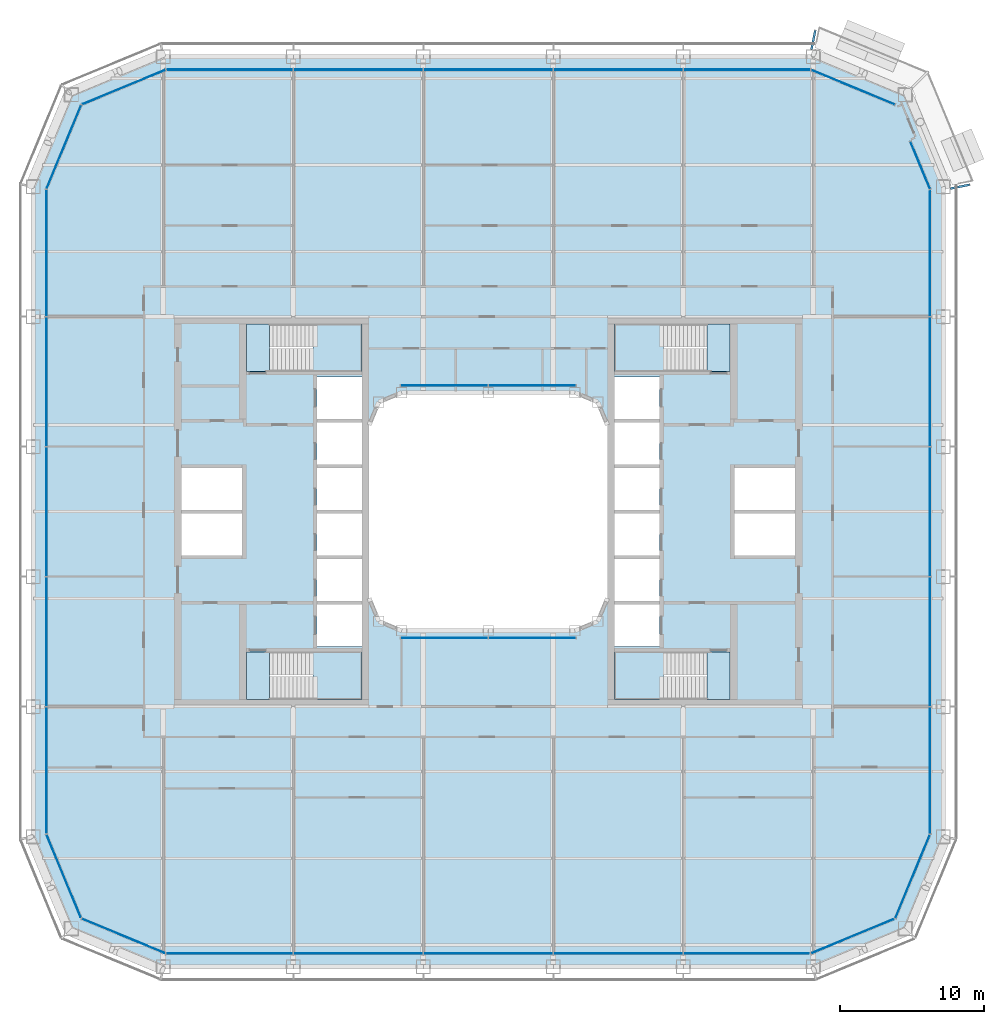
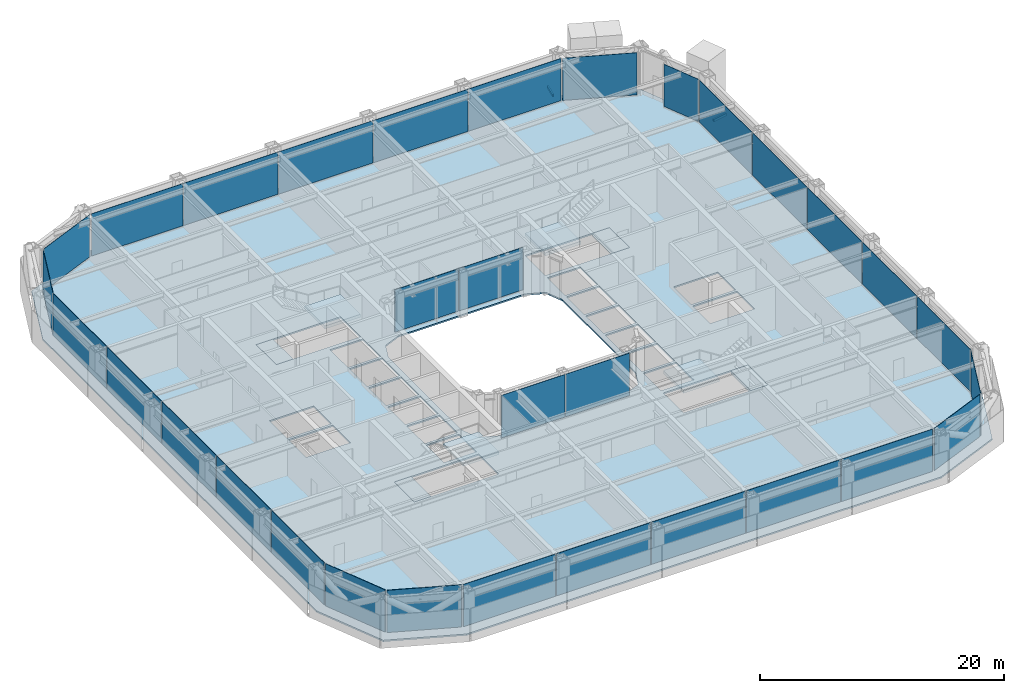
# One storey, part 11 of 30: 32 plates, 9 slabs, 2 beams, 18 elements without a shape of their own.
"""IFC4 building model written with IfcOpenShell, lengths in metres."""

from ifc_helpers import new_model, si_unit, direction, frame, origin, origin_2d, place, context, subcontext, project, spatial, polyline, rectangle, hollow_rectangle, outline, extrude, material, layer, layer_set, material_profile, profile_set, type_object, element, aggregate, save


model = new_model("IFC4")

# Units and contexts
model_context = context("Model", 3, precision=1e-05, world=origin(), true_north=direction((0.0, 1.0)))
body_context = subcontext(model_context, "Body", "Model", "MODEL_VIEW")
ifc_project = project(units=[si_unit("LENGTHUNIT", "METRE"), si_unit("AREAUNIT", "SQUARE_METRE"), si_unit("VOLUMEUNIT", "CUBIC_METRE"), si_unit("PLANEANGLEUNIT", "RADIAN"), si_unit("MASSUNIT", "GRAM", prefix="KILO")], contexts=[model_context])

# Site, building, storey
site_placement = place(None, origin())
site = spatial("IfcSite", under=ifc_project, at=site_placement, CompositionType="ELEMENT")
building_placement = place(site_placement, origin())
building = spatial("IfcBuilding", under=site, at=building_placement, Name="Siwar Civic Tower", CompositionType="ELEMENT")
storey_placement = place(building_placement, frame((0.0, 0.0, 62.699951171875)))
storey = spatial("IfcBuildingStorey", under=building, at=storey_placement, Name="L13", CompositionType="ELEMENT", Elevation=62.699951171875)

# Beams
ifc_material_1 = material(Name="Steel S355", Category="steel")
ifc_material_profile = material_profile(ifc_material_1, hollow_rectangle(XDim=0.14990234375, YDim=0.25, WallThickness=0.010009765625, at=origin_2d()), Name="RHS250x150x10")
ifc_profile_set = profile_set([ifc_material_profile], Name="Steel S355")
beam_type = type_object("IfcBeamType", Name="ENV-BALCONY ARM", PredefinedType="BEAM", material=ifc_profile_set)
for number, where, z_axis, x_axis, name in (
    (1, (32.0, 22.375244140625, -0.27490234375), (0.980807679798, 0.194977678848, 0.0), (-0.194977678848, 0.980807679798, 0.0), "Balcony cantilever beam NE 1"),
    (2, (22.375244140625, 32.0, -0.27490234375), (0.194977678848, 0.980807679798, 0.0), (-0.980807679798, 0.194977678848, 0.0), "Balcony cantilever beam NE 3"),
):
    element("IfcBeam", number, at=place(storey_placement, frame(where, z_axis=z_axis, x_axis=x_axis)), inside=storey, type_object=beam_type, Name=name, PredefinedType="BEAM", context=body_context, shape_type="SweptSolid", body=[
        extrude(hollow_rectangle(XDim=0.14990234375, YDim=0.25, WallThickness=0.010009765625, at=origin_2d()), origin(), (0.0, 0.0, 1.0), 1.361083984375),
    ])

# Stair, slabs
ifc_material_2 = material(Name="Concrete C40/50", Category="concrete")
stair_type = type_object("IfcStairType", Name="CORE-STAIR", PredefinedType="TWO_STRAIGHT_RUN_STAIR", material=ifc_material_2)
stair_1_placement = place(storey_placement, origin())
stair_1 = element("IfcStair", 3, at=stair_1_placement, inside=storey, type_object=stair_type, Name="Exit stair ST1", PredefinedType="TWO_STRAIGHT_RUN_STAIR")
ifc_material_3 = material(Name="Concrete C40/50", Category="concrete")
ifc_layer_1 = layer(ifc_material_3, 0.300048828125)
ifc_layer_set_1 = layer_set([ifc_layer_1], Name="Concrete C40/50")
slab_type_1 = type_object("IfcSlabType", Name="CORE-STAIR-LANDING", PredefinedType="LANDING", material=ifc_layer_set_1)
slab_1_placement = place(storey_placement, frame((0.0, 0.0, -0.300048828125)))
slab_1 = element("IfcSlab", 4, at=slab_1_placement, type_object=slab_type_1, Name="ST1 landing 1", PredefinedType="LANDING", context=body_context, shape_type="SweptSolid", body=[
    extrude(outline(polyline([(-15.14990234375, 13.0), (-16.75, 13.0), (-16.75, 9.699951171875), (-15.14990234375, 9.699951171875), (-15.14990234375, 13.0)])), origin(), (0.0, 0.0, 1.0), 0.300048828125),
])
slab_2_placement = place(storey_placement, frame((0.0, 0.0, 1.949951171875)))
slab_2 = element("IfcSlab", 5, at=slab_2_placement, type_object=slab_type_1, Name="ST1 landing 2", PredefinedType="LANDING", context=body_context, shape_type="SweptSolid", body=[
    extrude(outline(polyline([(-8.75, 13.0), (-12.139892578125, 13.0), (-12.139892578125, 9.699951171875), (-8.75, 9.699951171875), (-8.75, 13.0)])), origin(), (0.0, 0.0, 1.0), 0.300048828125),
])
aggregate(stair_1, [slab_1, slab_2])

stair_2_placement = place(storey_placement, origin())
stair_2 = element("IfcStair", 6, at=stair_2_placement, inside=storey, type_object=stair_type, Name="Exit stair ST2", PredefinedType="TWO_STRAIGHT_RUN_STAIR")
slab_3_placement = place(storey_placement, frame((0.0, 0.0, -0.300048828125)))
slab_3 = element("IfcSlab", 7, at=slab_3_placement, type_object=slab_type_1, Name="ST2 landing 1", PredefinedType="LANDING", context=body_context, shape_type="SweptSolid", body=[
    extrude(outline(polyline([(-15.14990234375, -9.699951171875), (-16.75, -9.699951171875), (-16.75, -13.0), (-15.14990234375, -13.0), (-15.14990234375, -9.699951171875)])), origin(), (0.0, 0.0, 1.0), 0.300048828125),
])
slab_4_placement = place(storey_placement, frame((0.0, 0.0, 1.949951171875)))
slab_4 = element("IfcSlab", 8, at=slab_4_placement, type_object=slab_type_1, Name="ST2 landing 2", PredefinedType="LANDING", context=body_context, shape_type="SweptSolid", body=[
    extrude(outline(polyline([(-8.75, -9.699951171875), (-12.139892578125, -9.699951171875), (-12.139892578125, -13.0), (-8.75, -13.0), (-8.75, -9.699951171875)])), origin(), (0.0, 0.0, 1.0), 0.300048828125),
])
aggregate(stair_2, [slab_3, slab_4])

stair_3_placement = place(storey_placement, origin())
stair_3 = element("IfcStair", 9, at=stair_3_placement, inside=storey, type_object=stair_type, Name="Exit stair ST3", PredefinedType="TWO_STRAIGHT_RUN_STAIR")
slab_5_placement = place(storey_placement, frame((0.0, 0.0, -0.300048828125)))
slab_5 = element("IfcSlab", 10, at=slab_5_placement, type_object=slab_type_1, Name="ST3 landing 1", PredefinedType="LANDING", context=body_context, shape_type="SweptSolid", body=[
    extrude(outline(polyline([(15.14990234375, 9.699951171875), (16.75, 9.699951171875), (16.75, 13.0), (15.14990234375, 13.0), (15.14990234375, 9.699951171875)])), origin(), (0.0, 0.0, 1.0), 0.300048828125),
])
slab_6_placement = place(storey_placement, frame((0.0, 0.0, 1.949951171875)))
slab_6 = element("IfcSlab", 11, at=slab_6_placement, type_object=slab_type_1, Name="ST3 landing 2", PredefinedType="LANDING", context=body_context, shape_type="SweptSolid", body=[
    extrude(outline(polyline([(8.75, 9.699951171875), (12.139892578125, 9.699951171875), (12.139892578125, 13.0), (8.75, 13.0), (8.75, 9.699951171875)])), origin(), (0.0, 0.0, 1.0), 0.300048828125),
])
aggregate(stair_3, [slab_5, slab_6])

stair_4_placement = place(storey_placement, origin())
stair_4 = element("IfcStair", 12, at=stair_4_placement, inside=storey, type_object=stair_type, Name="Exit stair ST4", PredefinedType="TWO_STRAIGHT_RUN_STAIR")
slab_7_placement = place(storey_placement, frame((0.0, 0.0, -0.300048828125)))
slab_7 = element("IfcSlab", 13, at=slab_7_placement, type_object=slab_type_1, Name="ST4 landing 1", PredefinedType="LANDING", context=body_context, shape_type="SweptSolid", body=[
    extrude(outline(polyline([(15.14990234375, -13.0), (16.75, -13.0), (16.75, -9.699951171875), (15.14990234375, -9.699951171875), (15.14990234375, -13.0)])), origin(), (0.0, 0.0, 1.0), 0.300048828125),
])
slab_8_placement = place(storey_placement, frame((0.0, 0.0, 1.949951171875)))
slab_8 = element("IfcSlab", 14, at=slab_8_placement, type_object=slab_type_1, Name="ST4 landing 2", PredefinedType="LANDING", context=body_context, shape_type="SweptSolid", body=[
    extrude(outline(polyline([(8.75, -13.0), (12.139892578125, -13.0), (12.139892578125, -9.699951171875), (8.75, -9.699951171875), (8.75, -13.0)])), origin(), (0.0, 0.0, 1.0), 0.300048828125),
])
aggregate(stair_4, [slab_7, slab_8])

# Curtain wall, plates
ifc_material_4 = material(Name="Aluminium and glass", Category="aluminium")
ifc_layer_2 = layer(ifc_material_4, 0.219970703125)
ifc_layer_set_2 = layer_set([ifc_layer_2], Name="Aluminium and glass")
curtain_wall_type_1 = type_object("IfcCurtainWallType", Name="ENV-CW-A", PredefinedType="NOTDEFINED", material=ifc_layer_set_2)
curtain_wall_1_placement = place(storey_placement, origin())
curtain_wall_1 = element("IfcCurtainWall", 15, at=curtain_wall_1_placement, inside=storey, type_object=curtain_wall_type_1, Name="Curtain wall A S", PredefinedType="NOTDEFINED")
ifc_material_5 = material(Name="Glass clear laminated", Category="glass")
ifc_layer_3 = layer(ifc_material_5, 0.035888671875)
ifc_layer_set_3 = layer_set([ifc_layer_3], Name="Glass clear laminated")
plate_type_1 = type_object("IfcPlateType", Name="ENV-PANEL-A", PredefinedType="CURTAIN_PANEL", material=ifc_layer_set_3)
plate_1_placement = place(storey_placement, frame((-17.910400390625, -30.60009765625, 0.1201171875), z_axis=(0.0, 0.0, 1.0), x_axis=(1.0, 0.0, 0.0)))
plate_1 = element("IfcPlate", 16, at=plate_1_placement, type_object=plate_type_1, Name="Curtain panel A S 1", PredefinedType="CURTAIN_PANEL", context=body_context, shape_type="SweptSolid", body=[
    extrude(rectangle(XDim=8.7509765625, YDim=0.035888671875, at=origin_2d()), origin(), (0.0, 0.0, 1.0), 4.22998046875),
])
plate_2_placement = place(storey_placement, frame((-9.0, -30.60009765625, 0.1201171875), z_axis=(0.0, 0.0, 1.0), x_axis=(1.0, 0.0, 0.0)))
plate_2 = element("IfcPlate", 17, at=plate_2_placement, type_object=plate_type_1, Name="Curtain panel A S 2", PredefinedType="CURTAIN_PANEL", context=body_context, shape_type="SweptSolid", body=[
    extrude(rectangle(XDim=8.929931640625, YDim=0.035888671875, at=origin_2d()), origin(), (0.0, 0.0, 1.0), 4.22998046875),
])
plate_3_placement = place(storey_placement, frame((0.0, -30.60009765625, 0.1201171875), z_axis=(0.0, 0.0, 1.0), x_axis=(1.0, 0.0, 0.0)))
plate_3 = element("IfcPlate", 18, at=plate_3_placement, type_object=plate_type_1, Name="Curtain panel A S 3", PredefinedType="CURTAIN_PANEL", context=body_context, shape_type="SweptSolid", body=[
    extrude(rectangle(XDim=8.929931640625, YDim=0.035888671875, at=origin_2d()), origin(), (0.0, 0.0, 1.0), 4.22998046875),
])
plate_4_placement = place(storey_placement, frame((9.0, -30.60009765625, 0.1201171875), z_axis=(0.0, 0.0, 1.0), x_axis=(1.0, 0.0, 0.0)))
plate_4 = element("IfcPlate", 19, at=plate_4_placement, type_object=plate_type_1, Name="Curtain panel A S 4", PredefinedType="CURTAIN_PANEL", context=body_context, shape_type="SweptSolid", body=[
    extrude(rectangle(XDim=8.929931640625, YDim=0.035888671875, at=origin_2d()), origin(), (0.0, 0.0, 1.0), 4.22998046875),
])
plate_5_placement = place(storey_placement, frame((17.86669921875, -30.60009765625, 0.1201171875), z_axis=(0.0, 0.0, 1.0), x_axis=(1.0, 0.0, 0.0)))
plate_5 = element("IfcPlate", 20, at=plate_5_placement, type_object=plate_type_1, Name="Curtain panel A S 5", PredefinedType="CURTAIN_PANEL", context=body_context, shape_type="SweptSolid", body=[
    extrude(rectangle(XDim=8.663330078125, YDim=0.035888671875, at=origin_2d()), origin(), (0.0, 0.0, 1.0), 4.22998046875),
])
aggregate(curtain_wall_1, [plate_1, plate_2, plate_3, plate_4, plate_5])

curtain_wall_2_placement = place(storey_placement, origin())
curtain_wall_2 = element("IfcCurtainWall", 21, at=curtain_wall_2_placement, inside=storey, type_object=curtain_wall_type_1, Name="Curtain wall A E", PredefinedType="NOTDEFINED")
plate_6_placement = place(storey_placement, frame((30.60009765625, -17.910400390625, 0.1201171875), z_axis=(0.0, 0.0, 1.0), x_axis=(0.0, 1.0, 0.0)))
plate_6 = element("IfcPlate", 22, at=plate_6_placement, type_object=plate_type_1, Name="Curtain panel A E 1", PredefinedType="CURTAIN_PANEL", context=body_context, shape_type="SweptSolid", body=[
    extrude(rectangle(XDim=8.7509765625, YDim=0.035888671875, at=origin_2d()), origin(), (0.0, 0.0, 1.0), 4.22998046875),
])
plate_7_placement = place(storey_placement, frame((30.60009765625, -9.0, 0.1201171875), z_axis=(0.0, 0.0, 1.0), x_axis=(0.0, 1.0, 0.0)))
plate_7 = element("IfcPlate", 23, at=plate_7_placement, type_object=plate_type_1, Name="Curtain panel A E 2", PredefinedType="CURTAIN_PANEL", context=body_context, shape_type="SweptSolid", body=[
    extrude(rectangle(XDim=8.929931640625, YDim=0.035888671875, at=origin_2d()), origin(), (0.0, 0.0, 1.0), 4.22998046875),
])
plate_8_placement = place(storey_placement, frame((30.60009765625, 0.0, 0.1201171875), z_axis=(0.0, 0.0, 1.0), x_axis=(0.0, 1.0, 0.0)))
plate_8 = element("IfcPlate", 24, at=plate_8_placement, type_object=plate_type_1, Name="Curtain panel A E 3", PredefinedType="CURTAIN_PANEL", context=body_context, shape_type="SweptSolid", body=[
    extrude(rectangle(XDim=8.929931640625, YDim=0.035888671875, at=origin_2d()), origin(), (0.0, 0.0, 1.0), 4.22998046875),
])
plate_9_placement = place(storey_placement, frame((30.60009765625, 9.0, 0.1201171875), z_axis=(0.0, 0.0, 1.0), x_axis=(0.0, 1.0, 0.0)))
plate_9 = element("IfcPlate", 25, at=plate_9_placement, type_object=plate_type_1, Name="Curtain panel A E 4", PredefinedType="CURTAIN_PANEL", context=body_context, shape_type="SweptSolid", body=[
    extrude(rectangle(XDim=8.929931640625, YDim=0.035888671875, at=origin_2d()), origin(), (0.0, 0.0, 1.0), 4.22998046875),
])
plate_10_placement = place(storey_placement, frame((30.60009765625, 17.86669921875, 0.1201171875), z_axis=(0.0, 0.0, 1.0), x_axis=(0.0, 1.0, 0.0)))
plate_10 = element("IfcPlate", 26, at=plate_10_placement, type_object=plate_type_1, Name="Curtain panel A E 5", PredefinedType="CURTAIN_PANEL", context=body_context, shape_type="SweptSolid", body=[
    extrude(rectangle(XDim=8.663330078125, YDim=0.035888671875, at=origin_2d()), origin(), (0.0, 0.0, 1.0), 4.22998046875),
])
aggregate(curtain_wall_2, [plate_6, plate_7, plate_8, plate_9, plate_10])

curtain_wall_3_placement = place(storey_placement, origin())
curtain_wall_3 = element("IfcCurtainWall", 27, at=curtain_wall_3_placement, inside=storey, type_object=curtain_wall_type_1, Name="Curtain wall A N", PredefinedType="NOTDEFINED")
plate_11_placement = place(storey_placement, frame((17.910400390625, 30.60009765625, 0.1201171875), z_axis=(0.0, 0.0, 1.0), x_axis=(-1.0, 0.0, 0.0)))
plate_11 = element("IfcPlate", 28, at=plate_11_placement, type_object=plate_type_1, Name="Curtain panel A N 1", PredefinedType="CURTAIN_PANEL", context=body_context, shape_type="SweptSolid", body=[
    extrude(rectangle(XDim=8.7509765625, YDim=0.035888671875, at=origin_2d()), origin(), (0.0, 0.0, 1.0), 4.22998046875),
])
plate_12_placement = place(storey_placement, frame((9.0, 30.60009765625, 0.1201171875), z_axis=(0.0, 0.0, 1.0), x_axis=(-1.0, 0.0, 0.0)))
plate_12 = element("IfcPlate", 29, at=plate_12_placement, type_object=plate_type_1, Name="Curtain panel A N 2", PredefinedType="CURTAIN_PANEL", context=body_context, shape_type="SweptSolid", body=[
    extrude(rectangle(XDim=8.929931640625, YDim=0.035888671875, at=origin_2d()), origin(), (0.0, 0.0, 1.0), 4.22998046875),
])
plate_13_placement = place(storey_placement, frame((0.0, 30.60009765625, 0.1201171875), z_axis=(0.0, 0.0, 1.0), x_axis=(-1.0, 0.0, 0.0)))
plate_13 = element("IfcPlate", 30, at=plate_13_placement, type_object=plate_type_1, Name="Curtain panel A N 3", PredefinedType="CURTAIN_PANEL", context=body_context, shape_type="SweptSolid", body=[
    extrude(rectangle(XDim=8.929931640625, YDim=0.035888671875, at=origin_2d()), origin(), (0.0, 0.0, 1.0), 4.22998046875),
])
plate_14_placement = place(storey_placement, frame((-9.0, 30.60009765625, 0.1201171875), z_axis=(0.0, 0.0, 1.0), x_axis=(-1.0, 0.0, 0.0)))
plate_14 = element("IfcPlate", 31, at=plate_14_placement, type_object=plate_type_1, Name="Curtain panel A N 4", PredefinedType="CURTAIN_PANEL", context=body_context, shape_type="SweptSolid", body=[
    extrude(rectangle(XDim=8.929931640625, YDim=0.035888671875, at=origin_2d()), origin(), (0.0, 0.0, 1.0), 4.22998046875),
])
plate_15_placement = place(storey_placement, frame((-17.86669921875, 30.60009765625, 0.1201171875), z_axis=(0.0, 0.0, 1.0), x_axis=(-1.0, 0.0, 0.0)))
plate_15 = element("IfcPlate", 32, at=plate_15_placement, type_object=plate_type_1, Name="Curtain panel A N 5", PredefinedType="CURTAIN_PANEL", context=body_context, shape_type="SweptSolid", body=[
    extrude(rectangle(XDim=8.663330078125, YDim=0.035888671875, at=origin_2d()), origin(), (0.0, 0.0, 1.0), 4.22998046875),
])
aggregate(curtain_wall_3, [plate_11, plate_12, plate_13, plate_14, plate_15])

curtain_wall_4_placement = place(storey_placement, origin())
curtain_wall_4 = element("IfcCurtainWall", 33, at=curtain_wall_4_placement, inside=storey, type_object=curtain_wall_type_1, Name="Curtain wall A W", PredefinedType="NOTDEFINED")
plate_16_placement = place(storey_placement, frame((-30.60009765625, 17.910400390625, 0.1201171875), z_axis=(0.0, 0.0, 1.0), x_axis=(0.0, -1.0, 0.0)))
plate_16 = element("IfcPlate", 34, at=plate_16_placement, type_object=plate_type_1, Name="Curtain panel A W 1", PredefinedType="CURTAIN_PANEL", context=body_context, shape_type="SweptSolid", body=[
    extrude(rectangle(XDim=8.7509765625, YDim=0.035888671875, at=origin_2d()), origin(), (0.0, 0.0, 1.0), 4.22998046875),
])
plate_17_placement = place(storey_placement, frame((-30.60009765625, 9.0, 0.1201171875), z_axis=(0.0, 0.0, 1.0), x_axis=(0.0, -1.0, 0.0)))
plate_17 = element("IfcPlate", 35, at=plate_17_placement, type_object=plate_type_1, Name="Curtain panel A W 2", PredefinedType="CURTAIN_PANEL", context=body_context, shape_type="SweptSolid", body=[
    extrude(rectangle(XDim=8.929931640625, YDim=0.035888671875, at=origin_2d()), origin(), (0.0, 0.0, 1.0), 4.22998046875),
])
plate_18_placement = place(storey_placement, frame((-30.60009765625, 0.0, 0.1201171875), z_axis=(0.0, 0.0, 1.0), x_axis=(0.0, -1.0, 0.0)))
plate_18 = element("IfcPlate", 36, at=plate_18_placement, type_object=plate_type_1, Name="Curtain panel A W 3", PredefinedType="CURTAIN_PANEL", context=body_context, shape_type="SweptSolid", body=[
    extrude(rectangle(XDim=8.929931640625, YDim=0.035888671875, at=origin_2d()), origin(), (0.0, 0.0, 1.0), 4.22998046875),
])
plate_19_placement = place(storey_placement, frame((-30.60009765625, -9.0, 0.1201171875), z_axis=(0.0, 0.0, 1.0), x_axis=(0.0, -1.0, 0.0)))
plate_19 = element("IfcPlate", 37, at=plate_19_placement, type_object=plate_type_1, Name="Curtain panel A W 4", PredefinedType="CURTAIN_PANEL", context=body_context, shape_type="SweptSolid", body=[
    extrude(rectangle(XDim=8.929931640625, YDim=0.035888671875, at=origin_2d()), origin(), (0.0, 0.0, 1.0), 4.22998046875),
])
plate_20_placement = place(storey_placement, frame((-30.60009765625, -17.86669921875, 0.1201171875), z_axis=(0.0, 0.0, 1.0), x_axis=(0.0, -1.0, 0.0)))
plate_20 = element("IfcPlate", 38, at=plate_20_placement, type_object=plate_type_1, Name="Curtain panel A W 5", PredefinedType="CURTAIN_PANEL", context=body_context, shape_type="SweptSolid", body=[
    extrude(rectangle(XDim=8.663330078125, YDim=0.035888671875, at=origin_2d()), origin(), (0.0, 0.0, 1.0), 4.22998046875),
])
aggregate(curtain_wall_4, [plate_16, plate_17, plate_18, plate_19, plate_20])

# Curtain wall, plate
ifc_material_6 = material(Name="Aluminium clad insulated panel", Category="aluminium")
ifc_layer_4 = layer(ifc_material_6, 0.219970703125)
ifc_layer_set_4 = layer_set([ifc_layer_4], Name="Aluminium clad insulated panel")
curtain_wall_type_2 = type_object("IfcCurtainWallType", Name="ENV-CW-AX", PredefinedType="NOTDEFINED", material=ifc_layer_set_4)
curtain_wall_5_placement = place(storey_placement, origin())
curtain_wall_5 = element("IfcCurtainWall", 39, at=curtain_wall_5_placement, inside=storey, type_object=curtain_wall_type_2, Name="Curtain wall A SE1", PredefinedType="NOTDEFINED")
ifc_material_7 = material(Name="Aluminium clad insulated panel", Category="aluminium")
ifc_layer_5 = layer(ifc_material_7, 0.035888671875)
ifc_layer_set_5 = layer_set([ifc_layer_5], Name="Aluminium clad insulated panel")
plate_type_2 = type_object("IfcPlateType", Name="ENV-PANEL-AX", PredefinedType="CURTAIN_PANEL", material=ifc_layer_set_5)
plate_21_placement = place(storey_placement, frame((25.20751953125, -29.404296875, 0.1201171875), z_axis=(0.0, 0.0, 1.0), x_axis=(0.923879532511, 0.382683432365, 0.0)))
plate_21 = element("IfcPlate", 40, at=plate_21_placement, type_object=plate_type_2, Name="Curtain panel A SE1 1", PredefinedType="CURTAIN_PANEL", context=body_context, shape_type="SweptSolid", body=[
    extrude(rectangle(XDim=6.178955078125, YDim=0.035888671875, at=origin_2d()), origin(), (0.0, 0.0, 1.0), 4.22998046875),
])
aggregate(curtain_wall_5, [plate_21])

curtain_wall_6_placement = place(storey_placement, origin())
curtain_wall_6 = element("IfcCurtainWall", 41, at=curtain_wall_6_placement, inside=storey, type_object=curtain_wall_type_2, Name="Curtain wall A SE2", PredefinedType="NOTDEFINED")
plate_22_placement = place(storey_placement, frame((29.370849609375, -25.28857421875, 0.1201171875), z_axis=(0.0, 0.0, 1.0), x_axis=(0.382683432365, 0.923879532511, 0.0)))
plate_22 = element("IfcPlate", 42, at=plate_22_placement, type_object=plate_type_2, Name="Curtain panel A SE2 1", PredefinedType="CURTAIN_PANEL", context=body_context, shape_type="SweptSolid", body=[
    extrude(rectangle(XDim=6.178955078125, YDim=0.035888671875, at=origin_2d()), origin(), (0.0, 0.0, 1.0), 4.22998046875),
])
aggregate(curtain_wall_6, [plate_22])

curtain_wall_7_placement = place(storey_placement, origin())
curtain_wall_7 = element("IfcCurtainWall", 43, at=curtain_wall_7_placement, inside=storey, type_object=curtain_wall_type_2, Name="Curtain wall A NE1", PredefinedType="NOTDEFINED")
plate_23_placement = place(storey_placement, frame((29.90966796875, 23.9873046875, 0.1201171875), z_axis=(0.0, 0.0, 1.0), x_axis=(-0.382683432365, 0.923879532511, 0.0)))
plate_23 = element("IfcPlate", 44, at=plate_23_placement, type_object=plate_type_2, Name="Curtain panel A NE1 1", PredefinedType="CURTAIN_PANEL", context=body_context, shape_type="SweptSolid", body=[
    extrude(rectangle(XDim=3.537353515625, YDim=0.035888671875, at=origin_2d()), origin(), (0.0, 0.0, 1.0), 4.22998046875),
])
aggregate(curtain_wall_7, [plate_23])

curtain_wall_8_placement = place(storey_placement, origin())
curtain_wall_8 = element("IfcCurtainWall", 45, at=curtain_wall_8_placement, inside=storey, type_object=curtain_wall_type_2, Name="Curtain wall A NE2", PredefinedType="NOTDEFINED")
plate_24_placement = place(storey_placement, frame((25.28857421875, 29.370849609375, 0.1201171875), z_axis=(0.0, 0.0, 1.0), x_axis=(-0.923879532511, 0.382683432365, 0.0)))
plate_24 = element("IfcPlate", 46, at=plate_24_placement, type_object=plate_type_2, Name="Curtain panel A NE2 1", PredefinedType="CURTAIN_PANEL", context=body_context, shape_type="SweptSolid", body=[
    extrude(rectangle(XDim=6.178955078125, YDim=0.035888671875, at=origin_2d()), origin(), (0.0, 0.0, 1.0), 4.22998046875),
])
aggregate(curtain_wall_8, [plate_24])

curtain_wall_9_placement = place(storey_placement, origin())
curtain_wall_9 = element("IfcCurtainWall", 47, at=curtain_wall_9_placement, inside=storey, type_object=curtain_wall_type_2, Name="Curtain wall A NW1", PredefinedType="NOTDEFINED")
plate_25_placement = place(storey_placement, frame((-25.20751953125, 29.404296875, 0.1201171875), z_axis=(0.0, 0.0, 1.0), x_axis=(-0.923879532511, -0.382683432365, 0.0)))
plate_25 = element("IfcPlate", 48, at=plate_25_placement, type_object=plate_type_2, Name="Curtain panel A NW1 1", PredefinedType="CURTAIN_PANEL", context=body_context, shape_type="SweptSolid", body=[
    extrude(rectangle(XDim=6.178955078125, YDim=0.035888671875, at=origin_2d()), origin(), (0.0, 0.0, 1.0), 4.22998046875),
])
aggregate(curtain_wall_9, [plate_25])

curtain_wall_10_placement = place(storey_placement, origin())
curtain_wall_10 = element("IfcCurtainWall", 49, at=curtain_wall_10_placement, inside=storey, type_object=curtain_wall_type_2, Name="Curtain wall A NW2", PredefinedType="NOTDEFINED")
plate_26_placement = place(storey_placement, frame((-29.370849609375, 25.28857421875, 0.1201171875), z_axis=(0.0, 0.0, 1.0), x_axis=(-0.382683432365, -0.923879532511, 0.0)))
plate_26 = element("IfcPlate", 50, at=plate_26_placement, type_object=plate_type_2, Name="Curtain panel A NW2 1", PredefinedType="CURTAIN_PANEL", context=body_context, shape_type="SweptSolid", body=[
    extrude(rectangle(XDim=6.178955078125, YDim=0.035888671875, at=origin_2d()), origin(), (0.0, 0.0, 1.0), 4.22998046875),
])
aggregate(curtain_wall_10, [plate_26])

curtain_wall_11_placement = place(storey_placement, origin())
curtain_wall_11 = element("IfcCurtainWall", 51, at=curtain_wall_11_placement, inside=storey, type_object=curtain_wall_type_2, Name="Curtain wall A SW1", PredefinedType="NOTDEFINED")
plate_27_placement = place(storey_placement, frame((-29.404296875, -25.20751953125, 0.1201171875), z_axis=(0.0, 0.0, 1.0), x_axis=(0.382683432365, -0.923879532511, 0.0)))
plate_27 = element("IfcPlate", 52, at=plate_27_placement, type_object=plate_type_2, Name="Curtain panel A SW1 1", PredefinedType="CURTAIN_PANEL", context=body_context, shape_type="SweptSolid", body=[
    extrude(rectangle(XDim=6.178955078125, YDim=0.035888671875, at=origin_2d()), origin(), (0.0, 0.0, 1.0), 4.22998046875),
])
aggregate(curtain_wall_11, [plate_27])

curtain_wall_12_placement = place(storey_placement, origin())
curtain_wall_12 = element("IfcCurtainWall", 53, at=curtain_wall_12_placement, inside=storey, type_object=curtain_wall_type_2, Name="Curtain wall A SW2", PredefinedType="NOTDEFINED")
plate_28_placement = place(storey_placement, frame((-25.28857421875, -29.370849609375, 0.1201171875), z_axis=(0.0, 0.0, 1.0), x_axis=(0.923879532511, -0.382683432365, 0.0)))
plate_28 = element("IfcPlate", 54, at=plate_28_placement, type_object=plate_type_2, Name="Curtain panel A SW2 1", PredefinedType="CURTAIN_PANEL", context=body_context, shape_type="SweptSolid", body=[
    extrude(rectangle(XDim=6.178955078125, YDim=0.035888671875, at=origin_2d()), origin(), (0.0, 0.0, 1.0), 4.22998046875),
])
aggregate(curtain_wall_12, [plate_28])

# Curtain wall, plates
ifc_material_8 = material(Name="Aluminium and glass", Category="aluminium")
ifc_layer_6 = layer(ifc_material_8, 0.179931640625)
ifc_layer_set_6 = layer_set([ifc_layer_6], Name="Aluminium and glass")
curtain_wall_type_3 = type_object("IfcCurtainWallType", Name="ENV-CW-W", PredefinedType="NOTDEFINED", material=ifc_layer_set_6)
curtain_wall_13_placement = place(storey_placement, origin())
curtain_wall_13 = element("IfcCurtainWall", 55, at=curtain_wall_13_placement, inside=storey, type_object=curtain_wall_type_3, Name="Curtain wall W WS", PredefinedType="NOTDEFINED")
ifc_material_9 = material(Name="Glass clear laminated", Category="glass")
ifc_layer_7 = layer(ifc_material_9, 0.031982421875)
ifc_layer_set_7 = layer_set([ifc_layer_7], Name="Glass clear laminated")
plate_type_3 = type_object("IfcPlateType", Name="ENV-PANEL-W", PredefinedType="CURTAIN_PANEL", material=ifc_layer_set_7)
plate_29_placement = place(storey_placement, frame((-3.04833984375, -8.735107421875, 0.10009765625), z_axis=(0.0, 0.0, 1.0), x_axis=(1.0, 0.0, 0.0)))
plate_29 = element("IfcPlate", 56, at=plate_29_placement, type_object=plate_type_3, Name="Curtain panel W WS 1", PredefinedType="CURTAIN_PANEL", context=body_context, shape_type="SweptSolid", body=[
    extrude(rectangle(XDim=6.036376953125, YDim=0.031982421875, at=origin_2d()), origin(), (0.0, 0.0, 1.0), 4.25),
])
plate_30_placement = place(storey_placement, frame((3.04833984375, -8.735107421875, 0.10009765625), z_axis=(0.0, 0.0, 1.0), x_axis=(1.0, 0.0, 0.0)))
plate_30 = element("IfcPlate", 57, at=plate_30_placement, type_object=plate_type_3, Name="Curtain panel W WS 2", PredefinedType="CURTAIN_PANEL", context=body_context, shape_type="SweptSolid", body=[
    extrude(rectangle(XDim=6.036376953125, YDim=0.031982421875, at=origin_2d()), origin(), (0.0, 0.0, 1.0), 4.25),
])
aggregate(curtain_wall_13, [plate_29, plate_30])

curtain_wall_14_placement = place(storey_placement, origin())
curtain_wall_14 = element("IfcCurtainWall", 58, at=curtain_wall_14_placement, inside=storey, type_object=curtain_wall_type_3, Name="Curtain wall W WN", PredefinedType="NOTDEFINED")
plate_31_placement = place(storey_placement, frame((3.04833984375, 8.735107421875, 0.10009765625), z_axis=(0.0, 0.0, 1.0), x_axis=(-1.0, 0.0, 0.0)))
plate_31 = element("IfcPlate", 59, at=plate_31_placement, type_object=plate_type_3, Name="Curtain panel W WN 1", PredefinedType="CURTAIN_PANEL", context=body_context, shape_type="SweptSolid", body=[
    extrude(rectangle(XDim=6.036376953125, YDim=0.031982421875, at=origin_2d()), origin(), (0.0, 0.0, 1.0), 4.25),
])
plate_32_placement = place(storey_placement, frame((-3.04833984375, 8.735107421875, 0.10009765625), z_axis=(0.0, 0.0, 1.0), x_axis=(-1.0, 0.0, 0.0)))
plate_32 = element("IfcPlate", 60, at=plate_32_placement, type_object=plate_type_3, Name="Curtain panel W WN 2", PredefinedType="CURTAIN_PANEL", context=body_context, shape_type="SweptSolid", body=[
    extrude(rectangle(XDim=6.036376953125, YDim=0.031982421875, at=origin_2d()), origin(), (0.0, 0.0, 1.0), 4.25),
])
aggregate(curtain_wall_14, [plate_31, plate_32])

# Slab
ifc_material_10 = material(Name="Concrete C40/50", Category="concrete")
ifc_layer_8 = layer(ifc_material_10, 0.14990234375)
ifc_layer_set_8 = layer_set([ifc_layer_8], Name="Concrete C40/50")
slab_type_2 = type_object("IfcSlabType", Name="STR-FLOOR-DECK-150", PredefinedType="FLOOR", material=ifc_layer_set_8)
slab_9_placement = place(storey_placement, frame((0.0, 0.0, -0.14990234375)))
element("IfcSlab", 61, at=slab_9_placement, inside=storey, type_object=slab_type_2, Name="L13/slab/1", PredefinedType="FLOOR", context=body_context, shape_type="SweptSolid", body=[
    extrude(outline(polyline([(-22.5, -31.5), (22.5, -31.5), (28.864013671875, -28.864013671875), (31.5, -22.5), (31.5, 22.5), (28.864013671875, 28.864013671875), (22.5, 31.5), (-22.5, 31.5), (-28.864013671875, 28.864013671875), (-31.5, 22.5), (-31.5, -22.5), (-28.864013671875, -28.864013671875), (-22.5, -31.5)]), holes=[polyline([(21.25, 3.02490234375), (21.25, 0.125), (17.050048828125, 0.125), (17.050048828125, 3.02490234375), (21.25, 3.02490234375)]), polyline([(17.050048828125, -0.125), (21.25, -0.125), (21.25, -3.02490234375), (17.050048828125, -3.02490234375), (17.050048828125, -0.125)]), polyline([(16.75, 13.0), (16.75, 9.699951171875), (8.75, 9.699951171875), (8.75, 13.0), (16.75, 13.0)]), polyline([(8.75, -9.699951171875), (16.75, -9.699951171875), (16.75, -13.0), (8.75, -13.0), (8.75, -9.699951171875)]), polyline([(11.85009765625, 9.324951171875), (11.85009765625, 6.425048828125), (8.75, 6.425048828125), (8.75, 9.324951171875), (11.85009765625, 9.324951171875)]), polyline([(11.85009765625, 3.02490234375), (11.85009765625, 0.125), (8.75, 0.125), (8.75, 3.02490234375), (11.85009765625, 3.02490234375)]), polyline([(11.85009765625, -0.125), (11.85009765625, -3.02490234375), (8.75, -3.02490234375), (8.75, -0.125), (11.85009765625, -0.125)]), polyline([(11.85009765625, -3.27490234375), (11.85009765625, -6.175048828125), (8.75, -6.175048828125), (8.75, -3.27490234375), (11.85009765625, -3.27490234375)]), polyline([(8.75, 6.175048828125), (11.85009765625, 6.175048828125), (11.85009765625, 3.27490234375), (8.75, 3.27490234375), (8.75, 6.175048828125)]), polyline([(8.75, -6.425048828125), (11.85009765625, -6.425048828125), (11.85009765625, -9.324951171875), (8.75, -9.324951171875), (8.75, -6.425048828125)]), polyline([(-6.0, 8.25), (6.0, 8.25), (7.591064453125, 7.591064453125), (8.25, 6.0), (8.25, -6.0), (7.591064453125, -7.591064453125), (6.0, -8.25), (-6.0, -8.25), (-7.591064453125, -7.591064453125), (-8.25, -6.0), (-8.25, 6.0), (-7.591064453125, 7.591064453125), (-6.0, 8.25)]), polyline([(-8.75, 9.699951171875), (-16.75, 9.699951171875), (-16.75, 13.0), (-8.75, 13.0), (-8.75, 9.699951171875)]), polyline([(-8.75, 0.125), (-11.85009765625, 0.125), (-11.85009765625, 3.02490234375), (-8.75, 3.02490234375), (-8.75, 0.125)]), polyline([(-8.75, -6.175048828125), (-11.85009765625, -6.175048828125), (-11.85009765625, -3.27490234375), (-8.75, -3.27490234375), (-8.75, -6.175048828125)]), polyline([(-8.75, -9.324951171875), (-11.85009765625, -9.324951171875), (-11.85009765625, -6.425048828125), (-8.75, -6.425048828125), (-8.75, -9.324951171875)]), polyline([(-8.75, -13.0), (-16.75, -13.0), (-16.75, -9.699951171875), (-8.75, -9.699951171875), (-8.75, -13.0)]), polyline([(-11.85009765625, 6.425048828125), (-11.85009765625, 9.324951171875), (-8.75, 9.324951171875), (-8.75, 6.425048828125), (-11.85009765625, 6.425048828125)]), polyline([(-11.85009765625, 3.27490234375), (-11.85009765625, 6.175048828125), (-8.75, 6.175048828125), (-8.75, 3.27490234375), (-11.85009765625, 3.27490234375)]), polyline([(-11.85009765625, -3.02490234375), (-11.85009765625, -0.125), (-8.75, -0.125), (-8.75, -3.02490234375), (-11.85009765625, -3.02490234375)]), polyline([(-21.25, -3.02490234375), (-21.25, -0.125), (-17.050048828125, -0.125), (-17.050048828125, -3.02490234375), (-21.25, -3.02490234375)]), polyline([(-17.050048828125, 0.125), (-21.25, 0.125), (-21.25, 3.02490234375), (-17.050048828125, 3.02490234375), (-17.050048828125, 0.125)])]), origin(), (0.0, 0.0, 1.0), 0.14990234375),
])

save(model, "model.ifc")
